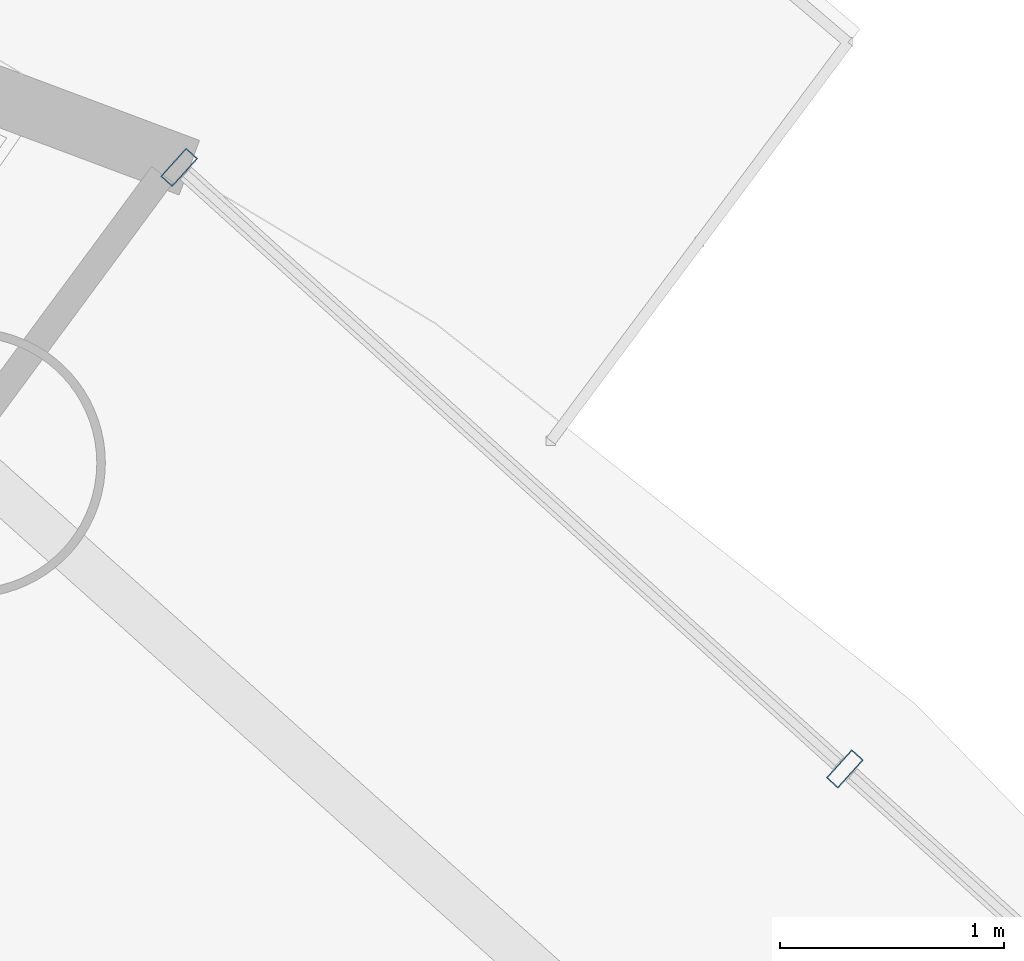
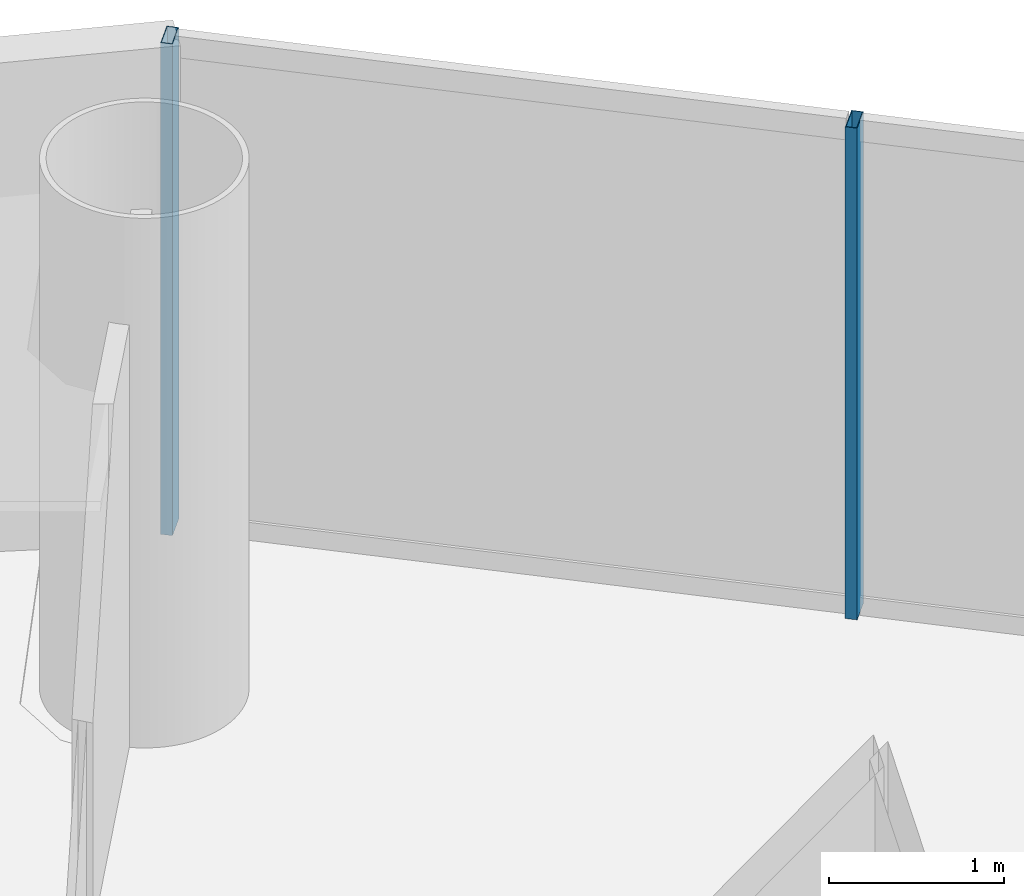
# One storey, part 18 of 26: 2 members, 1 element without a shape of its own.
"""IFC4 building model written with IfcOpenShell, lengths in metres."""

from ifc_helpers import new_model, si_unit, direction, frame, origin, origin_2d, place, context, subcontext, project, spatial, hollow_rectangle, extrude, source, transform, mapped, material, material_profile, profile_set, type_object, element, aggregate, save


model = new_model("IFC4")

# Units and contexts
model_context = context("Model", 3, precision=1e-05, world=origin(), true_north=direction((-0.2419218956, 0.970295726276)))
body_context = subcontext(model_context, "Body", "Model", "MODEL_VIEW")
ifc_project = project(units=[si_unit("LENGTHUNIT", "METRE"), si_unit("AREAUNIT", "SQUARE_METRE"), si_unit("VOLUMEUNIT", "CUBIC_METRE"), si_unit("PLANEANGLEUNIT", "RADIAN"), si_unit("MASSUNIT", "GRAM", prefix="KILO")], contexts=[model_context])

# Site, building, storey
site_placement = place(None, origin())
site = spatial("IfcSite", under=ifc_project, at=site_placement, CompositionType="ELEMENT")
building_placement = place(site_placement, origin())
building = spatial("IfcBuilding", under=site, at=building_placement, Name="Cobrevalo Terracotta Tower", CompositionType="ELEMENT")
storey_placement = place(building_placement, frame((0.0, 0.0, 209.699951171875)))
storey = spatial("IfcBuildingStorey", under=building, at=storey_placement, Name="L55", CompositionType="ELEMENT", Elevation=209.699951171875)

# Curtain wall, members
ifc_material = material(Name="Anodized aluminium", Category="aluminium")
curtain_wall_type = type_object("IfcCurtainWallType", Name="Mid-tower high-wind unitised curtain wall CW-U2", PredefinedType="NOTDEFINED", material=ifc_material)
curtain_wall_placement = place(storey_placement, origin())
curtain_wall = element("IfcCurtainWall", 1, at=curtain_wall_placement, inside=storey, type_object=curtain_wall_type, Name="L55 curtain wall CW-L55-S02", PredefinedType="NOTDEFINED")
ifc_material_profile = material_profile(ifc_material, hollow_rectangle(XDim=0.070068359375, YDim=0.169921875, WallThickness=0.00439453125, at=origin_2d()), Name="CWM 70x170")
ifc_profile_set = profile_set([ifc_material_profile], Name="Anodized aluminium")
member_type = type_object("IfcMemberType", Name="Upper tower unitised mullion 70x170", PredefinedType="MULLION", material=ifc_profile_set)
shared_shape = source(origin(), body_context, "Body", "SweptSolid", [
    extrude(hollow_rectangle(XDim=0.070068359375, YDim=0.169921875, WallThickness=0.00439453125, at=origin_2d()), origin(), (0.0, 0.0, 1.0), 3.43505859375),
])
member_1_placement = place(storey_placement, frame((53.097900390625, 40.441650390625, 0.0), z_axis=(0.0, 0.0, 1.0), x_axis=(-0.741987542015, 0.670413668935, 0.0)))
member_1 = element("IfcMember", 2, at=member_1_placement, type_object=member_type, Name="CW-L55-S02 vertical mullion 02", PredefinedType="MULLION", context=body_context, shape_type="MappedRepresentation", body=[
    mapped(shared_shape, transform((0.0, 0.0, 0.0), scale=1.0)),
])
member_2_placement = place(storey_placement, frame((50.12451171875, 43.128173828125, 0.0), z_axis=(0.0, 0.0, 1.0), x_axis=(-0.741987542015, 0.670413668935, 0.0)))
member_2 = element("IfcMember", 3, at=member_2_placement, type_object=member_type, Name="CW-L55-S02 vertical mullion 03", PredefinedType="MULLION", context=body_context, shape_type="MappedRepresentation", body=[
    mapped(shared_shape, transform((0.0, 0.0, 0.0), scale=1.0)),
])
aggregate(curtain_wall, [member_1, member_2])

save(model, "model.ifc")
